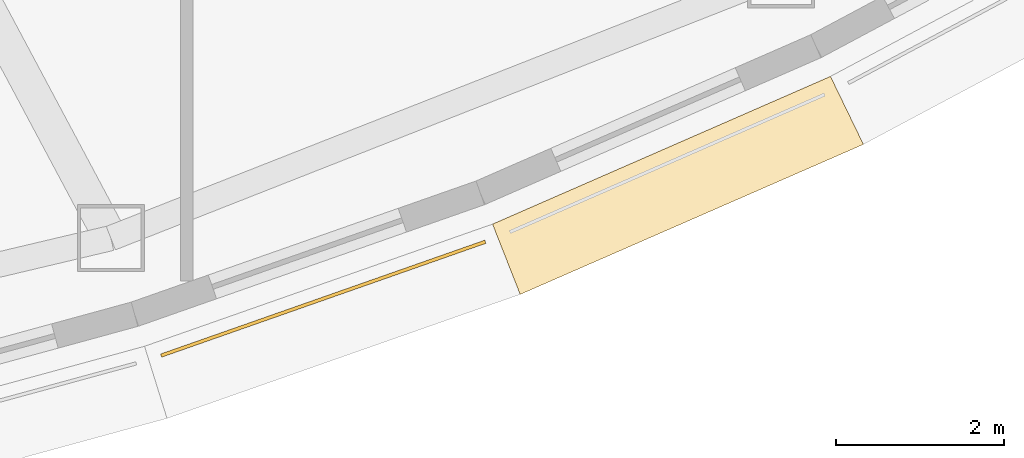
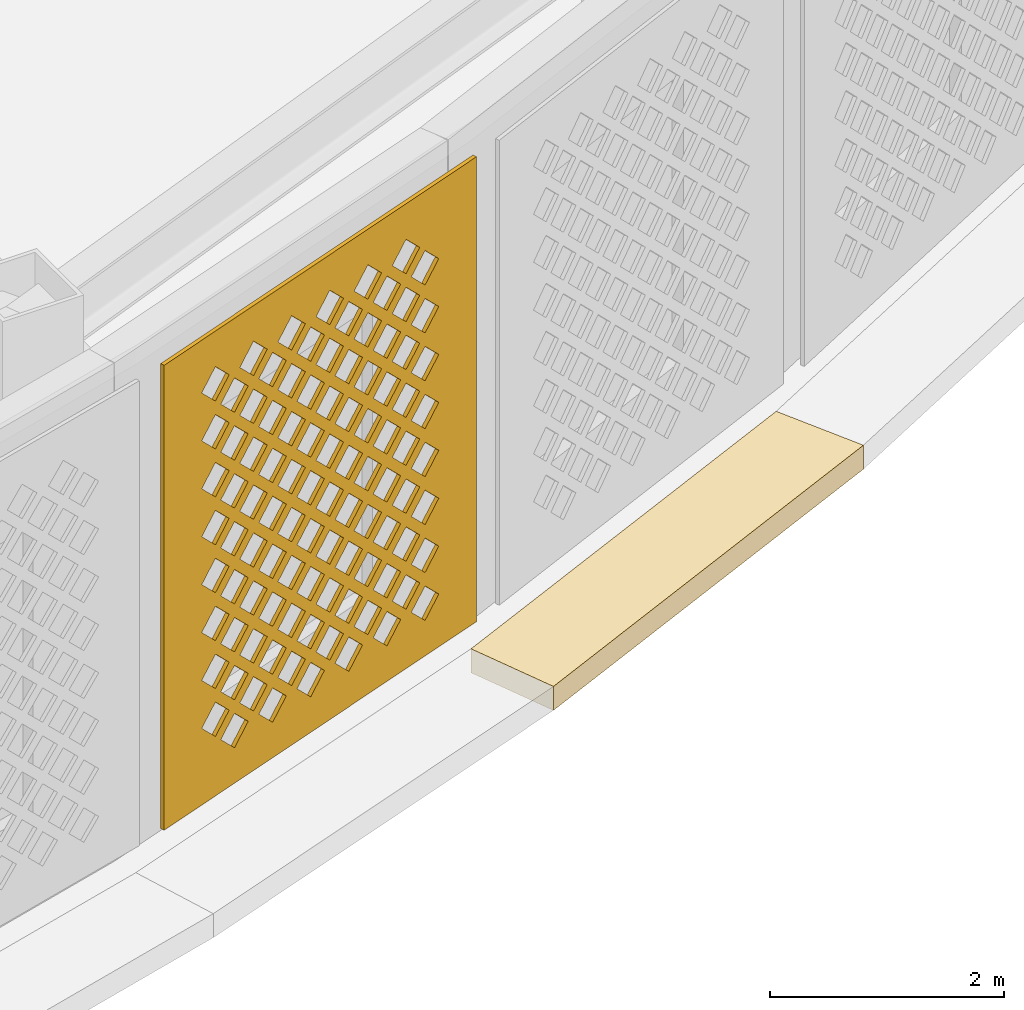
# One storey, part 52 of 63: 2 coverings.
"""IFC4 building model written with IfcOpenShell, lengths in metres."""

import ifcopenshell
import ifcopenshell.guid

model = None  # the IFC model being written
_history = None  # IfcOwnerHistory: only IFC2X3 demands one
_inside = {}  # id of a spatial element -> (the spatial element, [elements in it])
_under = {}  # id of a project, library or spatial element -> (it, [spatial elements below it])
_declared = {}  # id of a project -> (the project, [libraries it declares])
_typed = {}  # id of a type object -> (the type object, [elements of that type])
_made_of = {}  # id of a material, layer set ... -> (it, [elements and type objects made of it])


def new_model(schema):
    """Start an empty IFC model of exactly this schema.

    Asked for "IFC4X3", IfcOpenShell would pick the latest addendum, in which some entities
    have other attributes; the version numbers below select the first issue.
    IFC2X3 requires an IfcOwnerHistory on every rooted entity: one is made here for all.
    """
    global model, _history
    if schema == "IFC4X3":
        model = ifcopenshell.file(schema_version=(4, 3, 0, 0))
    else:
        model = ifcopenshell.file(schema=schema)
    _inside.clear()
    _under.clear()
    _declared.clear()
    _typed.clear()
    _made_of.clear()
    _history = None
    if model.schema == "IFC2X3":
        org = make("IfcOrganization", Name="unknown")
        user = make(
            "IfcPersonAndOrganization",
            ThePerson=make("IfcPerson", FamilyName="unknown"),
            TheOrganization=org,
        )
        app = make(
            "IfcApplication",
            ApplicationDeveloper=org,
            Version="unknown",
            ApplicationFullName="unknown",
            ApplicationIdentifier="unknown",
        )
        _history = make(
            "IfcOwnerHistory",
            OwningUser=user,
            OwningApplication=app,
            ChangeAction="ADDED",
            CreationDate=0,
        )
    return model


def make(cls, **values):
    """One entity of the class cls with the attributes given. An attribute that is None is left unset."""
    return model.create_entity(
        cls, **{name: value for name, value in values.items() if value is not None}
    )


def rooted(cls, **values):
    """An entity with a GlobalId (a new one), such as an element, a storey or a relation."""
    return make(cls, GlobalId=ifcopenshell.guid.new(), OwnerHistory=_history, **values)


def si_unit(unit_type, name, prefix=None):
    """IfcSIUnit, for example si_unit("LENGTHUNIT", "METRE", prefix="MILLI")."""
    return make("IfcSIUnit", UnitType=unit_type, Prefix=prefix, Name=name)


def assignment(units):
    """IfcUnitAssignment: the units of a project."""
    return None if units is None else make("IfcUnitAssignment", Units=units)


def point(xyz):
    """IfcCartesianPoint."""
    return None if xyz is None else make("IfcCartesianPoint", Coordinates=xyz)


def direction(xyz):
    """IfcDirection."""
    return None if xyz is None else make("IfcDirection", DirectionRatios=xyz)


def frame(location, z_axis=None, x_axis=None):
    """IfcAxis2Placement3D, a coordinate frame: its origin and axes. An axis left out is left unset."""
    return make(
        "IfcAxis2Placement3D",
        Location=point(location),
        Axis=direction(z_axis),
        RefDirection=direction(x_axis),
    )


def origin():
    """The frame at (0, 0, 0) with its axes left unset."""
    return frame((0.0, 0.0, 0.0))


def place(relative_to, where):
    """IfcLocalPlacement: puts the frame where relative to a parent placement (None: the world)."""
    return make(
        "IfcLocalPlacement", PlacementRelTo=relative_to, RelativePlacement=where
    )


def context(
    kind, dimensions, precision=None, world=None, true_north=None, identifier=None
):
    """IfcGeometricRepresentationContext, for example the 3D "Model" context."""
    return make(
        "IfcGeometricRepresentationContext",
        ContextIdentifier=identifier,
        ContextType=kind,
        CoordinateSpaceDimension=dimensions,
        Precision=precision,
        WorldCoordinateSystem=world,
        TrueNorth=true_north,
    )


def subcontext(parent, identifier, kind, view, scale=None):
    """IfcGeometricRepresentationSubContext, for example "Body" below "Model"."""
    return make(
        "IfcGeometricRepresentationSubContext",
        ContextIdentifier=identifier,
        ContextType=kind,
        ParentContext=parent,
        TargetScale=scale,
        TargetView=view,
    )


def project(units=None, contexts=None):
    """IfcProject with its units and contexts."""
    return rooted(
        "IfcProject",
        Name="project",
        RepresentationContexts=contexts,
        UnitsInContext=assignment(units),
    )


def spatial(cls, under=None, at=None, **own):
    """A site, building, storey or space (cls), placed at a placement, below another one or the project."""
    s = rooted(cls, ObjectPlacement=at, **own)
    if under is not None:
        _under.setdefault(under.id(), (under, []))[1].append(s)
    return s


def polyline(points):
    """IfcPolyline through the points."""
    return make("IfcPolyline", Points=[point(p) for p in points])


def outline(outer, holes=None, kind="AREA"):
    """IfcArbitraryClosedProfileDef: a profile drawn as a closed curve; with holes, ...WithVoids."""
    if holes is None:
        return make("IfcArbitraryClosedProfileDef", ProfileType=kind, OuterCurve=outer)
    return make(
        "IfcArbitraryProfileDefWithVoids",
        ProfileType=kind,
        OuterCurve=outer,
        InnerCurves=holes,
    )


def extrude(swept, where, along, depth):
    """IfcExtrudedAreaSolid: the profile swept, set in the frame where, extruded along a direction by depth."""
    return make(
        "IfcExtrudedAreaSolid",
        SweptArea=swept,
        Position=where,
        ExtrudedDirection=direction(along),
        Depth=depth,
    )


def shape(context_of_items, identifier, shape_type, items):
    """IfcShapeRepresentation: the items that make up one representation, for example the "Body"."""
    return make(
        "IfcShapeRepresentation",
        ContextOfItems=context_of_items,
        RepresentationIdentifier=identifier,
        RepresentationType=shape_type,
        Items=items,
    )


def material(Name=None, Category=None):
    """IfcMaterial."""
    return make("IfcMaterial", Name=Name, Category=Category)


def layer(
    of_material, thickness, ventilated=None, Name=None, Category=None, Priority=None
):
    """IfcMaterialLayer: one layer of a wall or slab, of a material (None: an air gap)."""
    return make(
        "IfcMaterialLayer",
        Material=of_material,
        LayerThickness=thickness,
        IsVentilated=ventilated,
        Name=Name,
        Category=Category,
        Priority=Priority,
    )


def layer_set(layers, Name=None):
    """IfcMaterialLayerSet."""
    return make("IfcMaterialLayerSet", MaterialLayers=layers, LayerSetName=Name)


def made_of(thing, what):
    """Note that an element or type object is made of a material, layer set ...; save() writes the relation."""
    if what is not None:
        _made_of.setdefault(what.id(), (what, []))[1].append(thing)
    return thing


def type_object(cls, material=None, **own):
    """A type object (cls), such as IfcWallType, which elements share."""
    return made_of(rooted(cls, **own), material)


def element(
    cls,
    number,
    at=None,
    inside=None,
    cuts=None,
    type_object=None,
    material=None,
    context=None,
    identifier="Body",
    shape_type=None,
    held_by="IfcProductDefinitionShape",
    body=None,
    shapes=None,
    **own,
):
    """One element of the class cls, such as IfcWall. Its Tag is "e" and its number.

    at: its placement. inside: the storey or other place that contains it. cuts: it is an
    opening in that element (IfcRelVoidsElement). A single representation is given by context,
    identifier, shape_type and body (its items); several are given by shapes. held_by: the class
    of the entity that holds the representations. save() writes the other relations.
    """
    e = rooted(cls, Tag="e%d" % number, ObjectPlacement=at, **own)
    if body is not None:
        shapes = [shape(context, identifier, shape_type, body)]
    if shapes is not None:
        e.Representation = make(held_by, Representations=shapes)
    if inside is not None:
        _inside.setdefault(inside.id(), (inside, []))[1].append(e)
    if cuts is not None:
        rooted(
            "IfcRelVoidsElement", RelatingBuildingElement=cuts, RelatedOpeningElement=e
        )
    if type_object is not None:
        _typed.setdefault(type_object.id(), (type_object, []))[1].append(e)
    return made_of(e, material)


def aggregate(whole, parts):
    """IfcRelAggregates: a whole, such as a stair, and the parts it consists of."""
    return rooted("IfcRelAggregates", RelatingObject=whole, RelatedObjects=parts)


def save(model, path):
    """Write the relations noted so far, then the file.

    IfcRelAggregates (storeys below a building ...), IfcRelContainedInSpatialStructure (elements
    in a storey), IfcRelDefinesByType, IfcRelAssociatesMaterial and IfcRelDeclares: one each for
    every whole, place, type object, material and project.
    """
    for whole, parts in _under.values():
        aggregate(whole, parts)
    for where, things in _inside.values():
        rooted(
            "IfcRelContainedInSpatialStructure",
            RelatedElements=things,
            RelatingStructure=where,
        )
    for kind, things in _typed.values():
        rooted("IfcRelDefinesByType", RelatedObjects=things, RelatingType=kind)
    for what, things in _made_of.values():
        rooted("IfcRelAssociatesMaterial", RelatedObjects=things, RelatingMaterial=what)
    for by, libraries in _declared.values():
        rooted("IfcRelDeclares", RelatingContext=by, RelatedDefinitions=libraries)
    model.write(path)


model = new_model("IFC4")

# Units and contexts
model_context = context("Model", 3, precision=1e-05, world=origin(), true_north=direction((0.0, 1.0)))
body_context = subcontext(model_context, "Body", "Model", "MODEL_VIEW")
ifc_project = project(units=[si_unit("LENGTHUNIT", "METRE"), si_unit("AREAUNIT", "SQUARE_METRE"), si_unit("VOLUMEUNIT", "CUBIC_METRE"), si_unit("PLANEANGLEUNIT", "RADIAN"), si_unit("MASSUNIT", "GRAM", prefix="KILO")], contexts=[model_context])

# Site, building, storey
site_placement = place(None, origin())
site = spatial("IfcSite", under=ifc_project, at=site_placement, CompositionType="ELEMENT")
building_placement = place(site_placement, origin())
building = spatial("IfcBuilding", under=site, at=building_placement, Name="Noorbagh Ring Tower", CompositionType="ELEMENT")
storey_placement = place(building_placement, frame((0.0, 0.0, 25.0)))
storey = spatial("IfcBuildingStorey", under=building, at=storey_placement, Name="L04", CompositionType="ELEMENT", Elevation=25.0)

# Coverings
ifc_material_1 = material(Name="Red sandstone eave", Category="masonry")
covering_type_1 = type_object("IfcCoveringType", Name="STY-CHHAJJA", PredefinedType="USERDEFINED", material=ifc_material_1)
covering_1_placement = place(storey_placement, frame((0.0, 0.0, -0.25)))
element("IfcCovering", 1, at=covering_1_placement, inside=storey, type_object=covering_type_1, Name="Chhajja eave", ObjectType="CHHAJJA", PredefinedType="USERDEFINED", context=body_context, shape_type="SweptSolid", body=[
    extrude(outline(polyline([(23.647216796875, -35.624755859375), (27.67578125, -33.864013671875), (28.068603515625, -34.674560546875), (23.976806640625, -36.462890625), (23.647216796875, -35.624755859375)])), origin(), (0.0, 0.0, 1.0), 0.25),
])
ifc_material_2 = material(Name="Red sandstone jali", Category="masonry")
ifc_layer = layer(ifc_material_2, 0.0400390625)
ifc_layer_set = layer_set([ifc_layer], Name="Red sandstone jali")
covering_type_2 = type_object("IfcCoveringType", Name="STY-JALI", PredefinedType="USERDEFINED", material=ifc_layer_set)
covering_2_placement = place(storey_placement, frame((19.702880859375, -37.2109375, 0.449951171875), z_axis=(0.331258049676, -0.94354019762, 0.0), x_axis=(0.94354019762, 0.331258049676, 0.0)))
element("IfcCovering", 2, at=covering_2_placement, inside=storey, type_object=covering_type_2, Name="Jali screen", ObjectType="SCREEN", PredefinedType="USERDEFINED", context=body_context, shape_type="SweptSolid", body=[
    extrude(outline(polyline([(0.0, 0.0), (4.096923828125, 0.0), (4.096923828125, 4.85009765625), (0.0, 4.85009765625), (0.0, 0.0)]), holes=[polyline([(0.743408203125, 0.550048828125), (0.92333984375, 0.3701171875), (1.103515625, 0.550048828125), (0.92333984375, 0.72998046875), (0.743408203125, 0.550048828125)]), polyline([(1.243408203125, 0.550048828125), (1.42333984375, 0.3701171875), (1.603515625, 0.550048828125), (1.42333984375, 0.72998046875), (1.243408203125, 0.550048828125)]), polyline([(1.743408203125, 0.550048828125), (1.92333984375, 0.3701171875), (2.103515625, 0.550048828125), (1.92333984375, 0.72998046875), (1.743408203125, 0.550048828125)]), polyline([(2.243408203125, 0.550048828125), (2.42333984375, 0.3701171875), (2.603515625, 0.550048828125), (2.42333984375, 0.72998046875), (2.243408203125, 0.550048828125)]), polyline([(2.743408203125, 0.550048828125), (2.92333984375, 0.3701171875), (3.103515625, 0.550048828125), (2.92333984375, 0.72998046875), (2.743408203125, 0.550048828125)]), polyline([(3.243408203125, 0.550048828125), (3.42333984375, 0.3701171875), (3.603515625, 0.550048828125), (3.42333984375, 0.72998046875), (3.243408203125, 0.550048828125)]), polyline([(0.493408203125, 0.800048828125), (0.67333984375, 0.6201171875), (0.853515625, 0.800048828125), (0.67333984375, 0.97998046875), (0.493408203125, 0.800048828125)]), polyline([(0.993408203125, 0.800048828125), (1.17333984375, 0.6201171875), (1.353515625, 0.800048828125), (1.17333984375, 0.97998046875), (0.993408203125, 0.800048828125)]), polyline([(1.493408203125, 0.800048828125), (1.67333984375, 0.6201171875), (1.853515625, 0.800048828125), (1.67333984375, 0.97998046875), (1.493408203125, 0.800048828125)]), polyline([(1.993408203125, 0.800048828125), (2.17333984375, 0.6201171875), (2.353515625, 0.800048828125), (2.17333984375, 0.97998046875), (1.993408203125, 0.800048828125)]), polyline([(2.493408203125, 0.800048828125), (2.67333984375, 0.6201171875), (2.853515625, 0.800048828125), (2.67333984375, 0.97998046875), (2.493408203125, 0.800048828125)]), polyline([(2.993408203125, 0.800048828125), (3.17333984375, 0.6201171875), (3.353515625, 0.800048828125), (3.17333984375, 0.97998046875), (2.993408203125, 0.800048828125)]), polyline([(0.743408203125, 1.050048828125), (0.92333984375, 0.8701171875), (1.103515625, 1.050048828125), (0.92333984375, 1.22998046875), (0.743408203125, 1.050048828125)]), polyline([(1.243408203125, 1.050048828125), (1.42333984375, 0.8701171875), (1.603515625, 1.050048828125), (1.42333984375, 1.22998046875), (1.243408203125, 1.050048828125)]), polyline([(1.743408203125, 1.050048828125), (1.92333984375, 0.8701171875), (2.103515625, 1.050048828125), (1.92333984375, 1.22998046875), (1.743408203125, 1.050048828125)]), polyline([(2.243408203125, 1.050048828125), (2.42333984375, 0.8701171875), (2.603515625, 1.050048828125), (2.42333984375, 1.22998046875), (2.243408203125, 1.050048828125)]), polyline([(2.743408203125, 1.050048828125), (2.92333984375, 0.8701171875), (3.103515625, 1.050048828125), (2.92333984375, 1.22998046875), (2.743408203125, 1.050048828125)]), polyline([(3.243408203125, 1.050048828125), (3.42333984375, 0.8701171875), (3.603515625, 1.050048828125), (3.42333984375, 1.22998046875), (3.243408203125, 1.050048828125)]), polyline([(0.493408203125, 1.300048828125), (0.67333984375, 1.1201171875), (0.853515625, 1.300048828125), (0.67333984375, 1.47998046875), (0.493408203125, 1.300048828125)]), polyline([(0.993408203125, 1.300048828125), (1.17333984375, 1.1201171875), (1.353515625, 1.300048828125), (1.17333984375, 1.47998046875), (0.993408203125, 1.300048828125)]), polyline([(1.493408203125, 1.300048828125), (1.67333984375, 1.1201171875), (1.853515625, 1.300048828125), (1.67333984375, 1.47998046875), (1.493408203125, 1.300048828125)]), polyline([(1.993408203125, 1.300048828125), (2.17333984375, 1.1201171875), (2.353515625, 1.300048828125), (2.17333984375, 1.47998046875), (1.993408203125, 1.300048828125)]), polyline([(2.493408203125, 1.300048828125), (2.67333984375, 1.1201171875), (2.853515625, 1.300048828125), (2.67333984375, 1.47998046875), (2.493408203125, 1.300048828125)]), polyline([(2.993408203125, 1.300048828125), (3.17333984375, 1.1201171875), (3.353515625, 1.300048828125), (3.17333984375, 1.47998046875), (2.993408203125, 1.300048828125)]), polyline([(0.743408203125, 1.550048828125), (0.92333984375, 1.3701171875), (1.103515625, 1.550048828125), (0.92333984375, 1.72998046875), (0.743408203125, 1.550048828125)]), polyline([(1.243408203125, 1.550048828125), (1.42333984375, 1.3701171875), (1.603515625, 1.550048828125), (1.42333984375, 1.72998046875), (1.243408203125, 1.550048828125)]), polyline([(1.743408203125, 1.550048828125), (1.92333984375, 1.3701171875), (2.103515625, 1.550048828125), (1.92333984375, 1.72998046875), (1.743408203125, 1.550048828125)]), polyline([(2.243408203125, 1.550048828125), (2.42333984375, 1.3701171875), (2.603515625, 1.550048828125), (2.42333984375, 1.72998046875), (2.243408203125, 1.550048828125)]), polyline([(2.743408203125, 1.550048828125), (2.92333984375, 1.3701171875), (3.103515625, 1.550048828125), (2.92333984375, 1.72998046875), (2.743408203125, 1.550048828125)]), polyline([(3.243408203125, 1.550048828125), (3.42333984375, 1.3701171875), (3.603515625, 1.550048828125), (3.42333984375, 1.72998046875), (3.243408203125, 1.550048828125)]), polyline([(0.493408203125, 1.800048828125), (0.67333984375, 1.6201171875), (0.853515625, 1.800048828125), (0.67333984375, 1.97998046875), (0.493408203125, 1.800048828125)]), polyline([(0.993408203125, 1.800048828125), (1.17333984375, 1.6201171875), (1.353515625, 1.800048828125), (1.17333984375, 1.97998046875), (0.993408203125, 1.800048828125)]), polyline([(1.493408203125, 1.800048828125), (1.67333984375, 1.6201171875), (1.853515625, 1.800048828125), (1.67333984375, 1.97998046875), (1.493408203125, 1.800048828125)]), polyline([(1.993408203125, 1.800048828125), (2.17333984375, 1.6201171875), (2.353515625, 1.800048828125), (2.17333984375, 1.97998046875), (1.993408203125, 1.800048828125)]), polyline([(2.493408203125, 1.800048828125), (2.67333984375, 1.6201171875), (2.853515625, 1.800048828125), (2.67333984375, 1.97998046875), (2.493408203125, 1.800048828125)]), polyline([(2.993408203125, 1.800048828125), (3.17333984375, 1.6201171875), (3.353515625, 1.800048828125), (3.17333984375, 1.97998046875), (2.993408203125, 1.800048828125)]), polyline([(0.743408203125, 2.050048828125), (0.92333984375, 1.8701171875), (1.103515625, 2.050048828125), (0.92333984375, 2.22998046875), (0.743408203125, 2.050048828125)]), polyline([(1.243408203125, 2.050048828125), (1.42333984375, 1.8701171875), (1.603515625, 2.050048828125), (1.42333984375, 2.22998046875), (1.243408203125, 2.050048828125)]), polyline([(1.743408203125, 2.050048828125), (1.92333984375, 1.8701171875), (2.103515625, 2.050048828125), (1.92333984375, 2.22998046875), (1.743408203125, 2.050048828125)]), polyline([(2.243408203125, 2.050048828125), (2.42333984375, 1.8701171875), (2.603515625, 2.050048828125), (2.42333984375, 2.22998046875), (2.243408203125, 2.050048828125)]), polyline([(2.743408203125, 2.050048828125), (2.92333984375, 1.8701171875), (3.103515625, 2.050048828125), (2.92333984375, 2.22998046875), (2.743408203125, 2.050048828125)]), polyline([(3.243408203125, 2.050048828125), (3.42333984375, 1.8701171875), (3.603515625, 2.050048828125), (3.42333984375, 2.22998046875), (3.243408203125, 2.050048828125)]), polyline([(0.493408203125, 2.300048828125), (0.67333984375, 2.1201171875), (0.853515625, 2.300048828125), (0.67333984375, 2.47998046875), (0.493408203125, 2.300048828125)]), polyline([(0.993408203125, 2.300048828125), (1.17333984375, 2.1201171875), (1.353515625, 2.300048828125), (1.17333984375, 2.47998046875), (0.993408203125, 2.300048828125)]), polyline([(1.493408203125, 2.300048828125), (1.67333984375, 2.1201171875), (1.853515625, 2.300048828125), (1.67333984375, 2.47998046875), (1.493408203125, 2.300048828125)]), polyline([(1.993408203125, 2.300048828125), (2.17333984375, 2.1201171875), (2.353515625, 2.300048828125), (2.17333984375, 2.47998046875), (1.993408203125, 2.300048828125)]), polyline([(2.493408203125, 2.300048828125), (2.67333984375, 2.1201171875), (2.853515625, 2.300048828125), (2.67333984375, 2.47998046875), (2.493408203125, 2.300048828125)]), polyline([(2.993408203125, 2.300048828125), (3.17333984375, 2.1201171875), (3.353515625, 2.300048828125), (3.17333984375, 2.47998046875), (2.993408203125, 2.300048828125)]), polyline([(0.743408203125, 2.550048828125), (0.92333984375, 2.3701171875), (1.103515625, 2.550048828125), (0.92333984375, 2.72998046875), (0.743408203125, 2.550048828125)]), polyline([(1.243408203125, 2.550048828125), (1.42333984375, 2.3701171875), (1.603515625, 2.550048828125), (1.42333984375, 2.72998046875), (1.243408203125, 2.550048828125)]), polyline([(1.743408203125, 2.550048828125), (1.92333984375, 2.3701171875), (2.103515625, 2.550048828125), (1.92333984375, 2.72998046875), (1.743408203125, 2.550048828125)]), polyline([(2.243408203125, 2.550048828125), (2.42333984375, 2.3701171875), (2.603515625, 2.550048828125), (2.42333984375, 2.72998046875), (2.243408203125, 2.550048828125)]), polyline([(2.743408203125, 2.550048828125), (2.92333984375, 2.3701171875), (3.103515625, 2.550048828125), (2.92333984375, 2.72998046875), (2.743408203125, 2.550048828125)]), polyline([(3.243408203125, 2.550048828125), (3.42333984375, 2.3701171875), (3.603515625, 2.550048828125), (3.42333984375, 2.72998046875), (3.243408203125, 2.550048828125)]), polyline([(0.493408203125, 2.800048828125), (0.67333984375, 2.6201171875), (0.853515625, 2.800048828125), (0.67333984375, 2.97998046875), (0.493408203125, 2.800048828125)]), polyline([(0.993408203125, 2.800048828125), (1.17333984375, 2.6201171875), (1.353515625, 2.800048828125), (1.17333984375, 2.97998046875), (0.993408203125, 2.800048828125)]), polyline([(1.493408203125, 2.800048828125), (1.67333984375, 2.6201171875), (1.853515625, 2.800048828125), (1.67333984375, 2.97998046875), (1.493408203125, 2.800048828125)]), polyline([(1.993408203125, 2.800048828125), (2.17333984375, 2.6201171875), (2.353515625, 2.800048828125), (2.17333984375, 2.97998046875), (1.993408203125, 2.800048828125)]), polyline([(2.493408203125, 2.800048828125), (2.67333984375, 2.6201171875), (2.853515625, 2.800048828125), (2.67333984375, 2.97998046875), (2.493408203125, 2.800048828125)]), polyline([(2.993408203125, 2.800048828125), (3.17333984375, 2.6201171875), (3.353515625, 2.800048828125), (3.17333984375, 2.97998046875), (2.993408203125, 2.800048828125)]), polyline([(0.743408203125, 3.050048828125), (0.92333984375, 2.8701171875), (1.103515625, 3.050048828125), (0.92333984375, 3.22998046875), (0.743408203125, 3.050048828125)]), polyline([(1.243408203125, 3.050048828125), (1.42333984375, 2.8701171875), (1.603515625, 3.050048828125), (1.42333984375, 3.22998046875), (1.243408203125, 3.050048828125)]), polyline([(1.743408203125, 3.050048828125), (1.92333984375, 2.8701171875), (2.103515625, 3.050048828125), (1.92333984375, 3.22998046875), (1.743408203125, 3.050048828125)]), polyline([(2.243408203125, 3.050048828125), (2.42333984375, 2.8701171875), (2.603515625, 3.050048828125), (2.42333984375, 3.22998046875), (2.243408203125, 3.050048828125)]), polyline([(2.743408203125, 3.050048828125), (2.92333984375, 2.8701171875), (3.103515625, 3.050048828125), (2.92333984375, 3.22998046875), (2.743408203125, 3.050048828125)]), polyline([(3.243408203125, 3.050048828125), (3.42333984375, 2.8701171875), (3.603515625, 3.050048828125), (3.42333984375, 3.22998046875), (3.243408203125, 3.050048828125)]), polyline([(0.493408203125, 3.300048828125), (0.67333984375, 3.1201171875), (0.853515625, 3.300048828125), (0.67333984375, 3.47998046875), (0.493408203125, 3.300048828125)]), polyline([(0.993408203125, 3.300048828125), (1.17333984375, 3.1201171875), (1.353515625, 3.300048828125), (1.17333984375, 3.47998046875), (0.993408203125, 3.300048828125)]), polyline([(1.493408203125, 3.300048828125), (1.67333984375, 3.1201171875), (1.853515625, 3.300048828125), (1.67333984375, 3.47998046875), (1.493408203125, 3.300048828125)]), polyline([(1.993408203125, 3.300048828125), (2.17333984375, 3.1201171875), (2.353515625, 3.300048828125), (2.17333984375, 3.47998046875), (1.993408203125, 3.300048828125)]), polyline([(2.493408203125, 3.300048828125), (2.67333984375, 3.1201171875), (2.853515625, 3.300048828125), (2.67333984375, 3.47998046875), (2.493408203125, 3.300048828125)]), polyline([(2.993408203125, 3.300048828125), (3.17333984375, 3.1201171875), (3.353515625, 3.300048828125), (3.17333984375, 3.47998046875), (2.993408203125, 3.300048828125)]), polyline([(0.743408203125, 3.550048828125), (0.92333984375, 3.3701171875), (1.103515625, 3.550048828125), (0.92333984375, 3.72998046875), (0.743408203125, 3.550048828125)]), polyline([(1.243408203125, 3.550048828125), (1.42333984375, 3.3701171875), (1.603515625, 3.550048828125), (1.42333984375, 3.72998046875), (1.243408203125, 3.550048828125)]), polyline([(1.743408203125, 3.550048828125), (1.92333984375, 3.3701171875), (2.103515625, 3.550048828125), (1.92333984375, 3.72998046875), (1.743408203125, 3.550048828125)]), polyline([(2.243408203125, 3.550048828125), (2.42333984375, 3.3701171875), (2.603515625, 3.550048828125), (2.42333984375, 3.72998046875), (2.243408203125, 3.550048828125)]), polyline([(2.743408203125, 3.550048828125), (2.92333984375, 3.3701171875), (3.103515625, 3.550048828125), (2.92333984375, 3.72998046875), (2.743408203125, 3.550048828125)]), polyline([(3.243408203125, 3.550048828125), (3.42333984375, 3.3701171875), (3.603515625, 3.550048828125), (3.42333984375, 3.72998046875), (3.243408203125, 3.550048828125)]), polyline([(0.493408203125, 3.800048828125), (0.67333984375, 3.6201171875), (0.853515625, 3.800048828125), (0.67333984375, 3.97998046875), (0.493408203125, 3.800048828125)]), polyline([(0.993408203125, 3.800048828125), (1.17333984375, 3.6201171875), (1.353515625, 3.800048828125), (1.17333984375, 3.97998046875), (0.993408203125, 3.800048828125)]), polyline([(1.493408203125, 3.800048828125), (1.67333984375, 3.6201171875), (1.853515625, 3.800048828125), (1.67333984375, 3.97998046875), (1.493408203125, 3.800048828125)]), polyline([(1.993408203125, 3.800048828125), (2.17333984375, 3.6201171875), (2.353515625, 3.800048828125), (2.17333984375, 3.97998046875), (1.993408203125, 3.800048828125)]), polyline([(2.493408203125, 3.800048828125), (2.67333984375, 3.6201171875), (2.853515625, 3.800048828125), (2.67333984375, 3.97998046875), (2.493408203125, 3.800048828125)]), polyline([(2.993408203125, 3.800048828125), (3.17333984375, 3.6201171875), (3.353515625, 3.800048828125), (3.17333984375, 3.97998046875), (2.993408203125, 3.800048828125)]), polyline([(0.743408203125, 4.050048828125), (0.92333984375, 3.8701171875), (1.103515625, 4.050048828125), (0.92333984375, 4.22998046875), (0.743408203125, 4.050048828125)]), polyline([(1.243408203125, 4.050048828125), (1.42333984375, 3.8701171875), (1.603515625, 4.050048828125), (1.42333984375, 4.22998046875), (1.243408203125, 4.050048828125)]), polyline([(1.743408203125, 4.050048828125), (1.92333984375, 3.8701171875), (2.103515625, 4.050048828125), (1.92333984375, 4.22998046875), (1.743408203125, 4.050048828125)]), polyline([(2.243408203125, 4.050048828125), (2.42333984375, 3.8701171875), (2.603515625, 4.050048828125), (2.42333984375, 4.22998046875), (2.243408203125, 4.050048828125)]), polyline([(2.743408203125, 4.050048828125), (2.92333984375, 3.8701171875), (3.103515625, 4.050048828125), (2.92333984375, 4.22998046875), (2.743408203125, 4.050048828125)]), polyline([(3.243408203125, 4.050048828125), (3.42333984375, 3.8701171875), (3.603515625, 4.050048828125), (3.42333984375, 4.22998046875), (3.243408203125, 4.050048828125)]), polyline([(0.493408203125, 4.300048828125), (0.67333984375, 4.1201171875), (0.853515625, 4.300048828125), (0.67333984375, 4.47998046875), (0.493408203125, 4.300048828125)]), polyline([(0.993408203125, 4.300048828125), (1.17333984375, 4.1201171875), (1.353515625, 4.300048828125), (1.17333984375, 4.47998046875), (0.993408203125, 4.300048828125)]), polyline([(1.493408203125, 4.300048828125), (1.67333984375, 4.1201171875), (1.853515625, 4.300048828125), (1.67333984375, 4.47998046875), (1.493408203125, 4.300048828125)]), polyline([(1.993408203125, 4.300048828125), (2.17333984375, 4.1201171875), (2.353515625, 4.300048828125), (2.17333984375, 4.47998046875), (1.993408203125, 4.300048828125)]), polyline([(2.493408203125, 4.300048828125), (2.67333984375, 4.1201171875), (2.853515625, 4.300048828125), (2.67333984375, 4.47998046875), (2.493408203125, 4.300048828125)]), polyline([(2.993408203125, 4.300048828125), (3.17333984375, 4.1201171875), (3.353515625, 4.300048828125), (3.17333984375, 4.47998046875), (2.993408203125, 4.300048828125)])]), origin(), (0.0, 0.0, -1.0), 0.0400390625),
])

save(model, "model.ifc")
